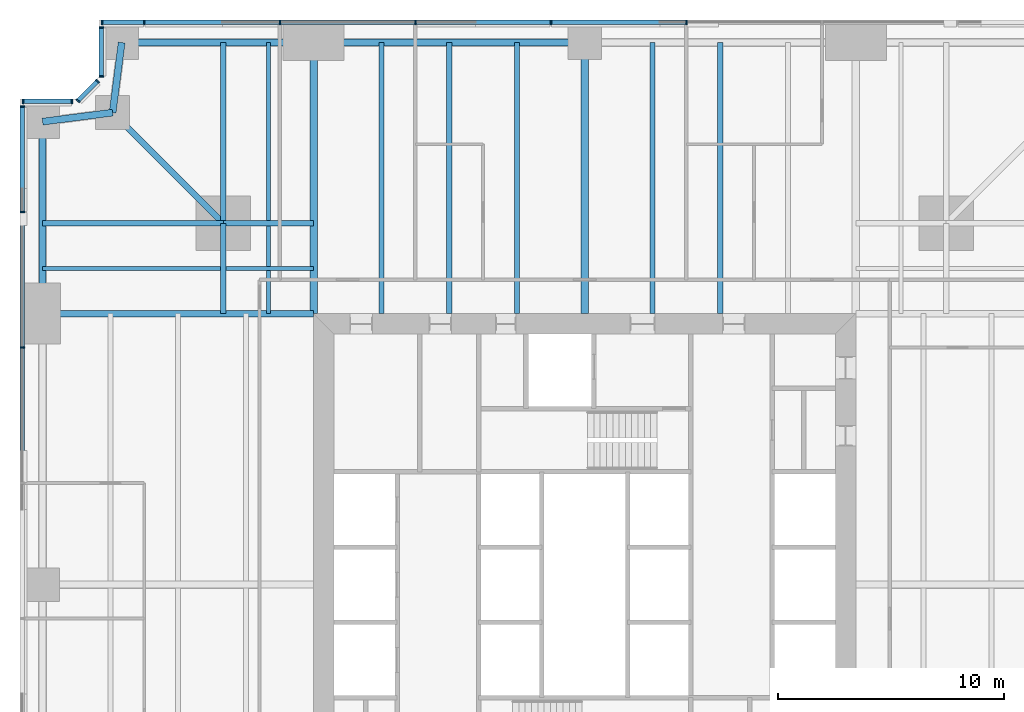
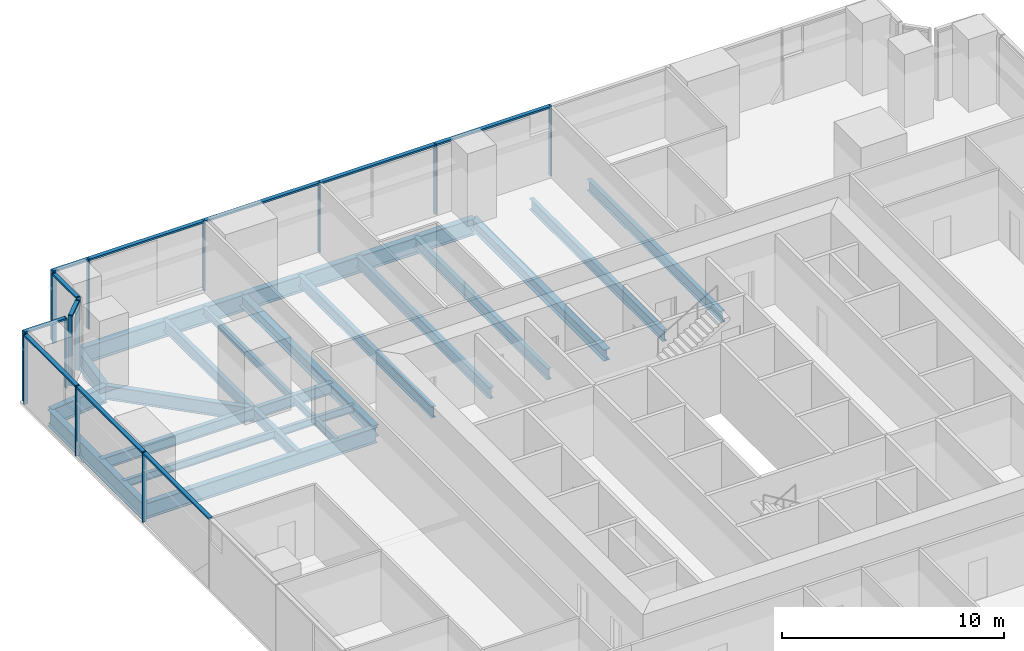
# One storey, part 6 of 13: 26 members, 23 beams, 5 elements without a shape of their own.
"""IFC4 building model written with IfcOpenShell, lengths in metres."""

from ifc_helpers import new_model, si_unit, direction, frame, origin, origin_2d, place, context, subcontext, project, spatial, rectangle, i_section, extrude, material, material_profile, profile_set, type_object, element, aggregate, save


model = new_model("IFC4")

# Units and contexts
model_context = context("Model", 3, precision=1e-05, world=origin(), true_north=direction((0.0, 1.0)))
body_context = subcontext(model_context, "Body", "Model", "MODEL_VIEW")
ifc_project = project(units=[si_unit("LENGTHUNIT", "METRE"), si_unit("AREAUNIT", "SQUARE_METRE"), si_unit("VOLUMEUNIT", "CUBIC_METRE"), si_unit("PLANEANGLEUNIT", "RADIAN"), si_unit("MASSUNIT", "GRAM", prefix="KILO")], contexts=[model_context])

# Site, building, storey
site_placement = place(None, origin())
site = spatial("IfcSite", under=ifc_project, at=site_placement, CompositionType="ELEMENT")
building_placement = place(site_placement, origin())
building = spatial("IfcBuilding", under=site, at=building_placement, Name="Fenwick Lantern Interchange", CompositionType="ELEMENT")
storey_placement = place(building_placement, frame((0.0, 0.0, 39.0)))
storey = spatial("IfcBuildingStorey", under=building, at=storey_placement, Name="L08", CompositionType="ELEMENT", Elevation=39.0)

# Beams
ifc_material_1 = material(Name="Steel ASTM A992 Grade 50", Category="steel")
ifc_material_profile_1 = material_profile(ifc_material_1, i_section(OverallWidth=0.3046875, OverallDepth=0.911865234375, WebThickness=0.015869140625, FlangeThickness=0.02392578125, at=origin_2d()), Name="W36X150")
ifc_profile_set_1 = profile_set([ifc_material_profile_1], Name="Steel ASTM A992 Grade 50")
beam_type_1 = type_object("IfcBeamType", Name="EDGE BEAM W36X150", PredefinedType="SPANDREL", material=ifc_profile_set_1)
beam_1_placement = place(storey_placement, frame((25.0, 49.0, -0.60595703125), z_axis=(-1.0, 0.0, 0.0), x_axis=(0.0, -1.0, 0.0)))
element("IfcBeam", 1, at=beam_1_placement, inside=storey, type_object=beam_type_1, Name="L08/FR/N/EB3", PredefinedType="SPANDREL", context=body_context, shape_type="SweptSolid", body=[
    extrude(i_section(OverallWidth=0.3046875, OverallDepth=0.911865234375, WebThickness=0.015869140625, FlangeThickness=0.02392578125, at=origin_2d()), origin(), (0.0, 0.0, 1.0), 12.0),
])
beam_2_placement = place(storey_placement, frame((13.0, 49.0, -0.60595703125), z_axis=(-1.0, 0.0, 0.0), x_axis=(0.0, -1.0, 0.0)))
element("IfcBeam", 2, at=beam_2_placement, inside=storey, type_object=beam_type_1, Name="L08/FR/N/EB4", PredefinedType="SPANDREL", context=body_context, shape_type="SweptSolid", body=[
    extrude(i_section(OverallWidth=0.3046875, OverallDepth=0.911865234375, WebThickness=0.015869140625, FlangeThickness=0.02392578125, at=origin_2d()), origin(), (0.0, 0.0, 1.0), 8.5),
])
for number, where, z_axis, x_axis, name in (
    (3, (4.5, 49.0, -0.60595703125), (-0.127936641807, -0.991782342897, 0.0), (0.991782342897, -0.127936641807, 0.0), "L08/FR/N/EBR1"),
    (4, (4.10009765625, 45.89990234375, -0.60595703125), (-0.991782342897, -0.127936641807, 0.0), (0.127936641807, -0.991782342897, 0.0), "L08/FR/N/EBR2"),
):
    element("IfcBeam", number, at=place(storey_placement, frame(where, z_axis=z_axis, x_axis=x_axis)), inside=storey, type_object=beam_type_1, Name=name, PredefinedType="SPANDREL", context=body_context, shape_type="SweptSolid", body=[
        extrude(i_section(OverallWidth=0.3046875, OverallDepth=0.911865234375, WebThickness=0.015869140625, FlangeThickness=0.02392578125, at=origin_2d()), origin(), (0.0, 0.0, 1.0), 3.125732421875),
    ])
beam_3_placement = place(storey_placement, frame((1.0, 45.5, -0.60595703125), z_axis=(0.0, -1.0, 0.0), x_axis=(1.0, 0.0, 0.0)))
element("IfcBeam", 5, at=beam_3_placement, inside=storey, type_object=beam_type_1, Name="L08/FR/W/EB1", PredefinedType="SPANDREL", context=body_context, shape_type="SweptSolid", body=[
    extrude(i_section(OverallWidth=0.3046875, OverallDepth=0.911865234375, WebThickness=0.015869140625, FlangeThickness=0.02392578125, at=origin_2d()), origin(), (0.0, 0.0, 1.0), 8.5),
])
ifc_material_profile_2 = material_profile(ifc_material_1, i_section(OverallWidth=0.22900390625, OverallDepth=0.612060546875, WebThickness=0.011962890625, FlangeThickness=0.01953125, at=origin_2d()), Name="W24X84")
ifc_profile_set_2 = profile_set([ifc_material_profile_2], Name="Steel ASTM A992 Grade 50")
beam_type_2 = type_object("IfcBeamType", Name="FLOOR BEAM W24X84", PredefinedType="BEAM", material=ifc_profile_set_2)
for number, where, z_axis, x_axis, name in (
    (6, (31.0, 49.0, -0.4560546875), (0.0, -1.0, 0.0), (1.0, 0.0, 0.0), "L08/FR/N/R03"),
    (7, (28.0, 49.0, -0.4560546875), (0.0, -1.0, 0.0), (1.0, 0.0, 0.0), "L08/FR/N/R04"),
    (8, (22.0, 49.0, -0.4560546875), (0.0, -1.0, 0.0), (1.0, 0.0, 0.0), "L08/FR/N/R06"),
    (9, (19.0, 49.0, -0.4560546875), (0.0, -1.0, 0.0), (1.0, 0.0, 0.0), "L08/FR/N/R07"),
    (10, (16.0, 49.0, -0.4560546875), (0.0, -1.0, 0.0), (1.0, 0.0, 0.0), "L08/FR/N/R08"),
):
    element("IfcBeam", number, at=place(storey_placement, frame(where, z_axis=z_axis, x_axis=x_axis)), inside=storey, type_object=beam_type_2, Name=name, PredefinedType="BEAM", context=body_context, shape_type="SweptSolid", body=[
        extrude(i_section(OverallWidth=0.22900390625, OverallDepth=0.612060546875, WebThickness=0.011962890625, FlangeThickness=0.01953125, at=origin_2d()), origin(), (0.0, 0.0, 1.0), 12.0),
    ])
ifc_material_profile_3 = material_profile(ifc_material_1, i_section(OverallWidth=0.177734375, OverallDepth=0.406494140625, WebThickness=0.0078125, FlangeThickness=0.012939453125, at=origin_2d()), Name="W16X40")
ifc_profile_set_3 = profile_set([ifc_material_profile_3], Name="Steel ASTM A992 Grade 50")
beam_type_3 = type_object("IfcBeamType", Name="INFILL BEAM W16X40", PredefinedType="JOIST", material=ifc_profile_set_3)
beam_4_placement = place(storey_placement, frame((1.0, 39.0, -0.353271484375), z_axis=(1.0, 0.0, 0.0), x_axis=(0.0, 1.0, 0.0)))
element("IfcBeam", 11, at=beam_4_placement, inside=storey, type_object=beam_type_3, Name="L08/FR/W/J1", PredefinedType="JOIST", context=body_context, shape_type="SweptSolid", body=[
    extrude(i_section(OverallWidth=0.177734375, OverallDepth=0.406494140625, WebThickness=0.0078125, FlangeThickness=0.012939453125, at=origin_2d()), origin(), (0.0, 0.0, 1.0), 7.885498046875),
])
beam_5_placement = place(storey_placement, frame((9.114501953125, 39.0, -0.353271484375), z_axis=(1.0, 0.0, 0.0), x_axis=(0.0, 1.0, 0.0)))
element("IfcBeam", 12, at=beam_5_placement, inside=storey, type_object=beam_type_3, Name="L08/FR/W/J2", PredefinedType="JOIST", context=body_context, shape_type="SweptSolid", body=[
    extrude(i_section(OverallWidth=0.177734375, OverallDepth=0.406494140625, WebThickness=0.0078125, FlangeThickness=0.012939453125, at=origin_2d()), origin(), (0.0, 0.0, 1.0), 3.885498046875),
])
beam_6_placement = place(storey_placement, frame((11.0, 49.0, -0.353271484375), z_axis=(0.0, -1.0, 0.0), x_axis=(1.0, 0.0, 0.0)))
element("IfcBeam", 13, at=beam_6_placement, inside=storey, type_object=beam_type_3, Name="L08/FR/W/J3", PredefinedType="JOIST", context=body_context, shape_type="SweptSolid", body=[
    extrude(i_section(OverallWidth=0.177734375, OverallDepth=0.406494140625, WebThickness=0.0078125, FlangeThickness=0.012939453125, at=origin_2d()), origin(), (0.0, 0.0, 1.0), 7.885498046875),
])
beam_7_placement = place(storey_placement, frame((11.0, 40.885498046875, -0.353271484375), z_axis=(0.0, -1.0, 0.0), x_axis=(1.0, 0.0, 0.0)))
element("IfcBeam", 14, at=beam_7_placement, inside=storey, type_object=beam_type_3, Name="L08/FR/W/J4", PredefinedType="JOIST", context=body_context, shape_type="SweptSolid", body=[
    extrude(i_section(OverallWidth=0.177734375, OverallDepth=0.406494140625, WebThickness=0.0078125, FlangeThickness=0.012939453125, at=origin_2d()), origin(), (0.0, 0.0, 1.0), 1.796630859375),
])
beam_8_placement = place(storey_placement, frame((11.0, 38.9111328125, -0.353271484375), z_axis=(0.0, -1.0, 0.0), x_axis=(1.0, 0.0, 0.0)))
element("IfcBeam", 15, at=beam_8_placement, inside=storey, type_object=beam_type_3, Name="L08/FR/W/J5", PredefinedType="JOIST", context=body_context, shape_type="SweptSolid", body=[
    extrude(i_section(OverallWidth=0.177734375, OverallDepth=0.406494140625, WebThickness=0.0078125, FlangeThickness=0.012939453125, at=origin_2d()), origin(), (0.0, 0.0, 1.0), 1.9111328125),
])
ifc_material_profile_4 = material_profile(ifc_material_1, i_section(OverallWidth=0.22900390625, OverallDepth=0.612060546875, WebThickness=0.011962890625, FlangeThickness=0.01953125, at=origin_2d()), Name="W24X84")
ifc_profile_set_4 = profile_set([ifc_material_profile_4], Name="Steel ASTM A992 Grade 50")
beam_type_4 = type_object("IfcBeamType", Name="MEGA COLUMN BEAM W24X84", PredefinedType="BEAM", material=ifc_profile_set_4)
for number, where, z_axis, x_axis, name in (
    (16, (9.0, 41.0, -0.4560546875), (-1.0, 0.0, 0.0), (0.0, -1.0, 0.0), "L08/FR/W/MB1"),
    (17, (9.0, 41.0, -0.4560546875), (0.0, 1.0, 0.0), (-1.0, 0.0, 0.0), "L08/FR/W/MB2"),
):
    element("IfcBeam", number, at=place(storey_placement, frame(where, z_axis=z_axis, x_axis=x_axis)), inside=storey, type_object=beam_type_4, Name=name, PredefinedType="BEAM", context=body_context, shape_type="SweptSolid", body=[
        extrude(i_section(OverallWidth=0.22900390625, OverallDepth=0.612060546875, WebThickness=0.011962890625, FlangeThickness=0.01953125, at=origin_2d()), origin(), (0.0, 0.0, 1.0), 8.0),
    ])
for number, where, z_axis, x_axis, name in (
    (18, (9.0, 41.0, -0.4560546875), (0.0, -1.0, 0.0), (1.0, 0.0, 0.0), "L08/FR/W/MB3"),
    (19, (9.0, 41.0, -0.4560546875), (1.0, 0.0, 0.0), (0.0, 1.0, 0.0), "L08/FR/W/MB4"),
):
    element("IfcBeam", number, at=place(storey_placement, frame(where, z_axis=z_axis, x_axis=x_axis)), inside=storey, type_object=beam_type_4, Name=name, PredefinedType="BEAM", context=body_context, shape_type="SweptSolid", body=[
        extrude(i_section(OverallWidth=0.22900390625, OverallDepth=0.612060546875, WebThickness=0.011962890625, FlangeThickness=0.01953125, at=origin_2d()), origin(), (0.0, 0.0, 1.0), 4.0),
    ])
ifc_material_profile_5 = material_profile(ifc_material_1, i_section(OverallWidth=0.32763671875, OverallDepth=0.622314453125, WebThickness=0.015380859375, FlangeThickness=0.0244140625, at=origin_2d()), Name="W24X131")
ifc_profile_set_5 = profile_set([ifc_material_profile_5], Name="Steel ASTM A992 Grade 50")
beam_type_5 = type_object("IfcBeamType", Name="MOMENT-CONNECTED GIRDER W24X131", PredefinedType="BEAM", material=ifc_profile_set_5)
for number, where, z_axis, x_axis, name in (
    (20, (25.0, 49.0, -0.461181640625), (0.0, -1.0, 0.0), (1.0, 0.0, 0.0), "L08/FR/N/R05"),
    (21, (13.0, 49.0, -0.461181640625), (0.0, -1.0, 0.0), (1.0, 0.0, 0.0), "L08/FR/N/R09"),
):
    element("IfcBeam", number, at=place(storey_placement, frame(where, z_axis=z_axis, x_axis=x_axis)), inside=storey, type_object=beam_type_5, Name=name, PredefinedType="BEAM", context=body_context, shape_type="SweptSolid", body=[
        extrude(i_section(OverallWidth=0.32763671875, OverallDepth=0.622314453125, WebThickness=0.015380859375, FlangeThickness=0.0244140625, at=origin_2d()), origin(), (0.0, 0.0, 1.0), 12.0),
    ])
ifc_material_profile_6 = material_profile(ifc_material_1, i_section(OverallWidth=0.2919921875, OverallDepth=0.845703125, WebThickness=0.015380859375, FlangeThickness=0.0244140625, at=origin_2d()), Name="W33X141")
ifc_profile_set_6 = profile_set([ifc_material_profile_6], Name="Steel ASTM A992 Grade 50")
beam_type_6 = type_object("IfcBeamType", Name="MOMENT-CONNECTED GIRDER W33X141", PredefinedType="BEAM", material=ifc_profile_set_6)
beam_9_placement = place(storey_placement, frame((1.0, 37.0, -0.572998046875), z_axis=(1.0, 0.0, 0.0), x_axis=(0.0, 1.0, 0.0)))
element("IfcBeam", 22, at=beam_9_placement, inside=storey, type_object=beam_type_6, Name="L08/FR/W/R01", PredefinedType="BEAM", context=body_context, shape_type="SweptSolid", body=[
    extrude(i_section(OverallWidth=0.2919921875, OverallDepth=0.845703125, WebThickness=0.015380859375, FlangeThickness=0.0244140625, at=origin_2d()), origin(), (0.0, 0.0, 1.0), 12.0),
])
ifc_material_profile_7 = material_profile(ifc_material_1, i_section(OverallWidth=0.2666015625, OverallDepth=0.7568359375, WebThickness=0.013916015625, FlangeThickness=0.019287109375, at=origin_2d()), Name="W30X108")
ifc_profile_set_7 = profile_set([ifc_material_profile_7], Name="Steel ASTM A992 Grade 50")
beam_type_7 = type_object("IfcBeamType", Name="NOTCH BEAM W30X108", PredefinedType="BEAM", material=ifc_profile_set_7)
beam_10_placement = place(storey_placement, frame((9.0, 41.0, -0.528564453125), z_axis=(-0.707106781187, 0.707106781187, 0.0), x_axis=(-0.707106781187, -0.707106781187, 0.0)))
element("IfcBeam", 23, at=beam_10_placement, inside=storey, type_object=beam_type_7, Name="L08/FR/W/TG", PredefinedType="BEAM", context=body_context, shape_type="SweptSolid", body=[
    extrude(i_section(OverallWidth=0.2666015625, OverallDepth=0.7568359375, WebThickness=0.013916015625, FlangeThickness=0.019287109375, at=origin_2d()), origin(), (0.0, 0.0, 1.0), 6.929443359375),
])

# Curtain wall, members
ifc_material_2 = material(Name="Aluminium curtain wall frame", Category="aluminium")
curtain_wall_type = type_object("IfcCurtainWallType", Name="OFFICE CURTAIN WALL", PredefinedType="USERDEFINED", material=ifc_material_2)
curtain_wall_1_placement = place(storey_placement, origin())
curtain_wall_1 = element("IfcCurtainWall", 24, at=curtain_wall_1_placement, inside=storey, type_object=curtain_wall_type, Name="Office curtain wall 09", ObjectType="OFFICE CURTAIN WALL", PredefinedType="USERDEFINED")
ifc_material_3 = material(Name="Aluminium extrusion", Category="aluminium")
ifc_material_profile_8 = material_profile(ifc_material_3, rectangle(XDim=0.199951171875, YDim=0.06494140625, at=origin_2d()), Name="OFFICE CURTAIN WALL MULLION 65 X 200")
ifc_profile_set_8 = profile_set([ifc_material_profile_8], Name="Aluminium extrusion")
member_type_1 = type_object("IfcMemberType", Name="OFFICE CURTAIN WALL MULLION 65 X 200", PredefinedType="MULLION", material=ifc_profile_set_8)
member_1_placement = place(storey_placement, frame((29.5, 49.89990234375, 0.0), z_axis=(0.0, 0.0, 1.0), x_axis=(0.0, -1.0, 0.0)))
member_1 = element("IfcMember", 25, at=member_1_placement, type_object=member_type_1, Name="L08/CW/09/M03", PredefinedType="MULLION", context=body_context, shape_type="SweptSolid", body=[
    extrude(rectangle(XDim=0.199951171875, YDim=0.06494140625, at=origin_2d()), origin(), (0.0, 0.0, 1.0), 3.85009765625),
])
member_2_placement = place(storey_placement, frame((23.5, 49.89990234375, 0.0), z_axis=(0.0, 0.0, 1.0), x_axis=(0.0, -1.0, 0.0)))
member_2 = element("IfcMember", 26, at=member_2_placement, type_object=member_type_1, Name="L08/CW/09/M04", PredefinedType="MULLION", context=body_context, shape_type="SweptSolid", body=[
    extrude(rectangle(XDim=0.199951171875, YDim=0.06494140625, at=origin_2d()), origin(), (0.0, 0.0, 1.0), 3.85009765625),
])
member_3_placement = place(storey_placement, frame((17.5, 49.89990234375, 0.0), z_axis=(0.0, 0.0, 1.0), x_axis=(0.0, -1.0, 0.0)))
member_3 = element("IfcMember", 27, at=member_3_placement, type_object=member_type_1, Name="L08/CW/09/M05", PredefinedType="MULLION", context=body_context, shape_type="SweptSolid", body=[
    extrude(rectangle(XDim=0.199951171875, YDim=0.06494140625, at=origin_2d()), origin(), (0.0, 0.0, 1.0), 3.85009765625),
])
member_4_placement = place(storey_placement, frame((11.5, 49.89990234375, 0.0), z_axis=(0.0, 0.0, 1.0), x_axis=(0.0, -1.0, 0.0)))
member_4 = element("IfcMember", 28, at=member_4_placement, type_object=member_type_1, Name="L08/CW/09/M06", PredefinedType="MULLION", context=body_context, shape_type="SweptSolid", body=[
    extrude(rectangle(XDim=0.199951171875, YDim=0.06494140625, at=origin_2d()), origin(), (0.0, 0.0, 1.0), 3.85009765625),
])
member_5_placement = place(storey_placement, frame((5.5, 49.89990234375, 0.0), z_axis=(0.0, 0.0, 1.0), x_axis=(0.0, -1.0, 0.0)))
member_5 = element("IfcMember", 29, at=member_5_placement, type_object=member_type_1, Name="L08/CW/09/M07", PredefinedType="MULLION", context=body_context, shape_type="SweptSolid", body=[
    extrude(rectangle(XDim=0.199951171875, YDim=0.06494140625, at=origin_2d()), origin(), (0.0, 0.0, 1.0), 3.85009765625),
])
member_6_placement = place(storey_placement, frame((3.632568359375, 49.89990234375, 0.0), z_axis=(0.0, 0.0, 1.0), x_axis=(0.0, -1.0, 0.0)))
member_6 = element("IfcMember", 30, at=member_6_placement, type_object=member_type_1, Name="L08/CW/09/M08", PredefinedType="MULLION", context=body_context, shape_type="SweptSolid", body=[
    extrude(rectangle(XDim=0.199951171875, YDim=0.06494140625, at=origin_2d()), origin(), (0.0, 0.0, 1.0), 3.85009765625),
])

curtain_wall_2_placement = place(storey_placement, origin())
curtain_wall_2 = element("IfcCurtainWall", 31, at=curtain_wall_2_placement, inside=storey, type_object=curtain_wall_type, Name="Office curtain wall 10", ObjectType="OFFICE CURTAIN WALL", PredefinedType="USERDEFINED")
member_7_placement = place(storey_placement, frame((3.60009765625, 49.66748046875, 0.0), z_axis=(0.0, 0.0, 1.0), x_axis=(1.0, 0.0, 0.0)))
member_7 = element("IfcMember", 32, at=member_7_placement, type_object=member_type_1, Name="L08/CW/10/M00", PredefinedType="MULLION", context=body_context, shape_type="SweptSolid", body=[
    extrude(rectangle(XDim=0.199951171875, YDim=0.06494140625, at=origin_2d()), origin(), (0.0, 0.0, 1.0), 3.85009765625),
])
member_8_placement = place(storey_placement, frame((3.60009765625, 47.490966796875, 0.0), z_axis=(0.0, 0.0, 1.0), x_axis=(1.0, 0.0, 0.0)))
member_8 = element("IfcMember", 33, at=member_8_placement, type_object=member_type_1, Name="L08/CW/10/M01", PredefinedType="MULLION", context=body_context, shape_type="SweptSolid", body=[
    extrude(rectangle(XDim=0.199951171875, YDim=0.06494140625, at=origin_2d()), origin(), (0.0, 0.0, 1.0), 3.85009765625),
])

curtain_wall_3_placement = place(storey_placement, origin())
curtain_wall_3 = element("IfcCurtainWall", 34, at=curtain_wall_3_placement, inside=storey, type_object=curtain_wall_type, Name="Office curtain wall 11", ObjectType="OFFICE CURTAIN WALL", PredefinedType="USERDEFINED")
member_9_placement = place(storey_placement, frame((3.435546875, 47.294189453125, 0.0), z_axis=(0.0, 0.0, 1.0), x_axis=(0.707106781187, -0.707106781187, 0.0)))
member_9 = element("IfcMember", 35, at=member_9_placement, type_object=member_type_1, Name="L08/CW/11/M00", PredefinedType="MULLION", context=body_context, shape_type="SweptSolid", body=[
    extrude(rectangle(XDim=0.199951171875, YDim=0.06494140625, at=origin_2d()), origin(), (0.0, 0.0, 1.0), 3.85009765625),
])
member_10_placement = place(storey_placement, frame((2.564453125, 46.423095703125, 0.0), z_axis=(0.0, 0.0, 1.0), x_axis=(0.707106781187, -0.707106781187, 0.0)))
member_10 = element("IfcMember", 36, at=member_10_placement, type_object=member_type_1, Name="L08/CW/11/M01", PredefinedType="MULLION", context=body_context, shape_type="SweptSolid", body=[
    extrude(rectangle(XDim=0.199951171875, YDim=0.06494140625, at=origin_2d()), origin(), (0.0, 0.0, 1.0), 3.85009765625),
])

curtain_wall_4_placement = place(storey_placement, origin())
curtain_wall_4 = element("IfcCurtainWall", 37, at=curtain_wall_4_placement, inside=storey, type_object=curtain_wall_type, Name="Office curtain wall 12", ObjectType="OFFICE CURTAIN WALL", PredefinedType="USERDEFINED")
member_11_placement = place(storey_placement, frame((2.308837890625, 46.39990234375, 0.0), z_axis=(0.0, 0.0, 1.0), x_axis=(0.0, -1.0, 0.0)))
member_11 = element("IfcMember", 38, at=member_11_placement, type_object=member_type_1, Name="L08/CW/12/M00", PredefinedType="MULLION", context=body_context, shape_type="SweptSolid", body=[
    extrude(rectangle(XDim=0.199951171875, YDim=0.06494140625, at=origin_2d()), origin(), (0.0, 0.0, 1.0), 3.85009765625),
])
member_12_placement = place(storey_placement, frame((0.132568359375, 46.39990234375, 0.0), z_axis=(0.0, 0.0, 1.0), x_axis=(0.0, -1.0, 0.0)))
member_12 = element("IfcMember", 39, at=member_12_placement, type_object=member_type_1, Name="L08/CW/12/M01", PredefinedType="MULLION", context=body_context, shape_type="SweptSolid", body=[
    extrude(rectangle(XDim=0.199951171875, YDim=0.06494140625, at=origin_2d()), origin(), (0.0, 0.0, 1.0), 3.85009765625),
])

curtain_wall_5_placement = place(storey_placement, origin())
curtain_wall_5 = element("IfcCurtainWall", 40, at=curtain_wall_5_placement, inside=storey, type_object=curtain_wall_type, Name="Office curtain wall 13", ObjectType="OFFICE CURTAIN WALL", PredefinedType="USERDEFINED")
member_13_placement = place(storey_placement, frame((0.10009765625, 46.16748046875, 0.0), z_axis=(0.0, 0.0, 1.0), x_axis=(1.0, 0.0, 0.0)))
member_13 = element("IfcMember", 41, at=member_13_placement, type_object=member_type_1, Name="L08/CW/13/M00", PredefinedType="MULLION", context=body_context, shape_type="SweptSolid", body=[
    extrude(rectangle(XDim=0.199951171875, YDim=0.06494140625, at=origin_2d()), origin(), (0.0, 0.0, 1.0), 3.85009765625),
])
member_14_placement = place(storey_placement, frame((0.10009765625, 41.5, 0.0), z_axis=(0.0, 0.0, 1.0), x_axis=(1.0, 0.0, 0.0)))
member_14 = element("IfcMember", 42, at=member_14_placement, type_object=member_type_1, Name="L08/CW/13/M01", PredefinedType="MULLION", context=body_context, shape_type="SweptSolid", body=[
    extrude(rectangle(XDim=0.199951171875, YDim=0.06494140625, at=origin_2d()), origin(), (0.0, 0.0, 1.0), 3.85009765625),
])
member_15_placement = place(storey_placement, frame((0.10009765625, 35.5, 0.0), z_axis=(0.0, 0.0, 1.0), x_axis=(1.0, 0.0, 0.0)))
member_15 = element("IfcMember", 43, at=member_15_placement, type_object=member_type_1, Name="L08/CW/13/M02", PredefinedType="MULLION", context=body_context, shape_type="SweptSolid", body=[
    extrude(rectangle(XDim=0.199951171875, YDim=0.06494140625, at=origin_2d()), origin(), (0.0, 0.0, 1.0), 3.85009765625),
])

# Member
ifc_material_profile_9 = material_profile(ifc_material_3, rectangle(XDim=0.199951171875, YDim=0.10009765625, at=origin_2d()), Name="OFFICE CURTAIN WALL TRANSOM 100 X 200")
ifc_profile_set_9 = profile_set([ifc_material_profile_9], Name="Aluminium extrusion")
member_type_2 = type_object("IfcMemberType", Name="OFFICE CURTAIN WALL TRANSOM 100 X 200", PredefinedType="MULLION", material=ifc_profile_set_9)
member_16_placement = place(storey_placement, frame((29.467529296875, 49.89990234375, 3.800048828125), z_axis=(-1.0, 0.0, 0.0), x_axis=(0.0, -1.0, 0.0)))
member_16 = element("IfcMember", 44, at=member_16_placement, type_object=member_type_2, Name="L08/CW/09/T03", PredefinedType="MULLION", context=body_context, shape_type="SweptSolid", body=[
    extrude(rectangle(XDim=0.199951171875, YDim=0.10009765625, at=origin_2d()), origin(), (0.0, 0.0, 1.0), 5.93505859375),
])

member_17_placement = place(storey_placement, frame((23.467529296875, 49.89990234375, 3.800048828125), z_axis=(-1.0, 0.0, 0.0), x_axis=(0.0, -1.0, 0.0)))
member_17 = element("IfcMember", 45, at=member_17_placement, type_object=member_type_2, Name="L08/CW/09/T04", PredefinedType="MULLION", context=body_context, shape_type="SweptSolid", body=[
    extrude(rectangle(XDim=0.199951171875, YDim=0.10009765625, at=origin_2d()), origin(), (0.0, 0.0, 1.0), 5.93505859375),
])

member_18_placement = place(storey_placement, frame((17.467529296875, 49.89990234375, 3.800048828125), z_axis=(-1.0, 0.0, 0.0), x_axis=(0.0, -1.0, 0.0)))
member_18 = element("IfcMember", 46, at=member_18_placement, type_object=member_type_2, Name="L08/CW/09/T05", PredefinedType="MULLION", context=body_context, shape_type="SweptSolid", body=[
    extrude(rectangle(XDim=0.199951171875, YDim=0.10009765625, at=origin_2d()), origin(), (0.0, 0.0, 1.0), 5.93505859375),
])

member_19_placement = place(storey_placement, frame((11.467529296875, 49.89990234375, 3.800048828125), z_axis=(-1.0, 0.0, 0.0), x_axis=(0.0, -1.0, 0.0)))
member_19 = element("IfcMember", 47, at=member_19_placement, type_object=member_type_2, Name="L08/CW/09/T06", PredefinedType="MULLION", context=body_context, shape_type="SweptSolid", body=[
    extrude(rectangle(XDim=0.199951171875, YDim=0.10009765625, at=origin_2d()), origin(), (0.0, 0.0, 1.0), 5.93505859375),
])

member_20_placement = place(storey_placement, frame((5.467529296875, 49.89990234375, 3.800048828125), z_axis=(-1.0, 0.0, 0.0), x_axis=(0.0, -1.0, 0.0)))
member_20 = element("IfcMember", 48, at=member_20_placement, type_object=member_type_2, Name="L08/CW/09/T07", PredefinedType="MULLION", context=body_context, shape_type="SweptSolid", body=[
    extrude(rectangle(XDim=0.199951171875, YDim=0.10009765625, at=origin_2d()), origin(), (0.0, 0.0, 1.0), 1.802490234375),
])

aggregate(curtain_wall_1, [member_1, member_2, member_3, member_4, member_5, member_6, member_16, member_17, member_18, member_19, member_20])

member_21_placement = place(storey_placement, frame((3.60009765625, 49.635009765625, 3.800048828125), z_axis=(0.0, -1.0, 0.0), x_axis=(1.0, 0.0, 0.0)))
member_21 = element("IfcMember", 49, at=member_21_placement, type_object=member_type_2, Name="L08/CW/10/T00", PredefinedType="MULLION", context=body_context, shape_type="SweptSolid", body=[
    extrude(rectangle(XDim=0.199951171875, YDim=0.10009765625, at=origin_2d()), origin(), (0.0, 0.0, 1.0), 2.111328125),
])

aggregate(curtain_wall_2, [member_7, member_8, member_21])

member_22_placement = place(storey_placement, frame((3.41259765625, 47.271240234375, 3.800048828125), z_axis=(-0.707106781187, -0.707106781187, 0.0), x_axis=(0.707106781187, -0.707106781187, 0.0)))
member_22 = element("IfcMember", 50, at=member_22_placement, type_object=member_type_2, Name="L08/CW/11/T00", PredefinedType="MULLION", context=body_context, shape_type="SweptSolid", body=[
    extrude(rectangle(XDim=0.199951171875, YDim=0.10009765625, at=origin_2d()), origin(), (0.0, 0.0, 1.0), 1.1669921875),
])

aggregate(curtain_wall_3, [member_9, member_10, member_22])

member_23_placement = place(storey_placement, frame((2.2763671875, 46.39990234375, 3.800048828125), z_axis=(-1.0, 0.0, 0.0), x_axis=(0.0, -1.0, 0.0)))
member_23 = element("IfcMember", 51, at=member_23_placement, type_object=member_type_2, Name="L08/CW/12/T00", PredefinedType="MULLION", context=body_context, shape_type="SweptSolid", body=[
    extrude(rectangle(XDim=0.199951171875, YDim=0.10009765625, at=origin_2d()), origin(), (0.0, 0.0, 1.0), 2.111328125),
])

aggregate(curtain_wall_4, [member_11, member_12, member_23])

member_24_placement = place(storey_placement, frame((0.10009765625, 46.135009765625, 3.800048828125), z_axis=(0.0, -1.0, 0.0), x_axis=(1.0, 0.0, 0.0)))
member_24 = element("IfcMember", 52, at=member_24_placement, type_object=member_type_2, Name="L08/CW/13/T00", PredefinedType="MULLION", context=body_context, shape_type="SweptSolid", body=[
    extrude(rectangle(XDim=0.199951171875, YDim=0.10009765625, at=origin_2d()), origin(), (0.0, 0.0, 1.0), 4.6025390625),
])

member_25_placement = place(storey_placement, frame((0.10009765625, 41.467529296875, 3.800048828125), z_axis=(0.0, -1.0, 0.0), x_axis=(1.0, 0.0, 0.0)))
member_25 = element("IfcMember", 53, at=member_25_placement, type_object=member_type_2, Name="L08/CW/13/T01", PredefinedType="MULLION", context=body_context, shape_type="SweptSolid", body=[
    extrude(rectangle(XDim=0.199951171875, YDim=0.10009765625, at=origin_2d()), origin(), (0.0, 0.0, 1.0), 5.93505859375),
])

member_26_placement = place(storey_placement, frame((0.10009765625, 35.467529296875, 3.800048828125), z_axis=(0.0, -1.0, 0.0), x_axis=(1.0, 0.0, 0.0)))
member_26 = element("IfcMember", 54, at=member_26_placement, type_object=member_type_2, Name="L08/CW/13/T02", PredefinedType="MULLION", context=body_context, shape_type="SweptSolid", body=[
    extrude(rectangle(XDim=0.199951171875, YDim=0.10009765625, at=origin_2d()), origin(), (0.0, 0.0, 1.0), 5.93505859375),
])

aggregate(curtain_wall_5, [member_13, member_14, member_15, member_24, member_25, member_26])

save(model, "model.ifc")
